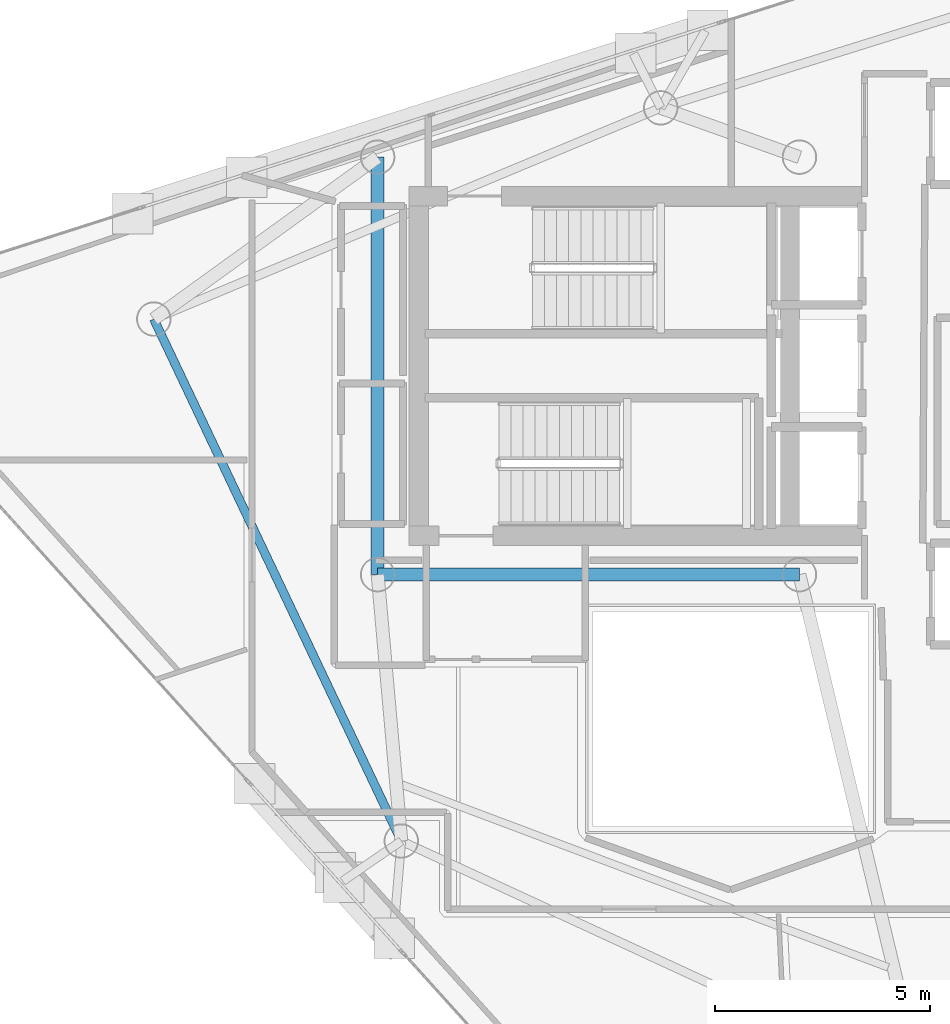
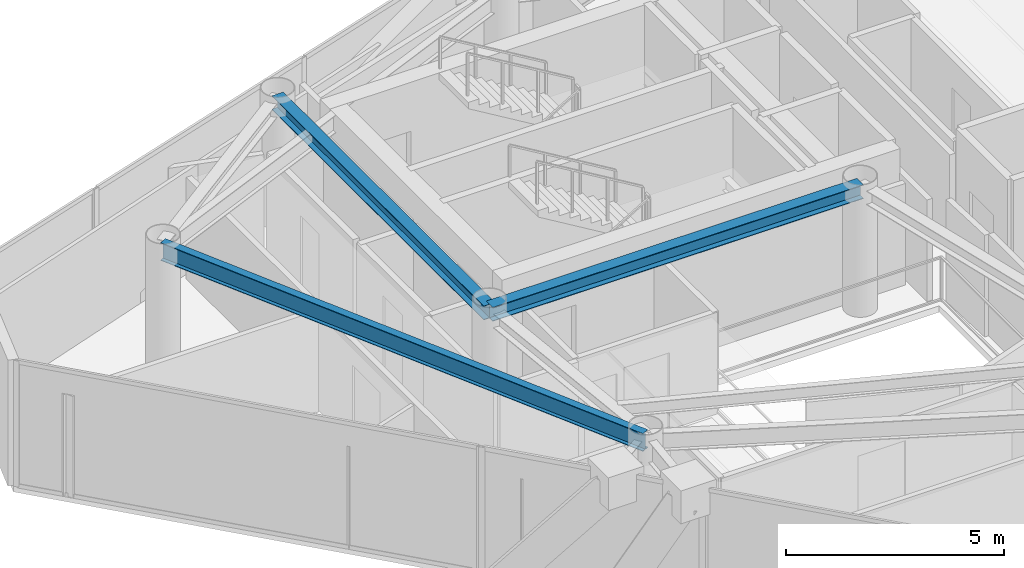
# One storey, part 7 of 19: 3 beams.
"""IFC4 building model written with IfcOpenShell, lengths in metres."""

from ifc_helpers import new_model, si_unit, direction, frame, origin, origin_2d, place, context, subcontext, project, spatial, i_section, extrude, material, material_profile, profile_set, type_object, element, save


model = new_model("IFC4")

# Units and contexts
model_context = context("Model", 3, precision=1e-05, world=origin(), true_north=direction((0.0, 1.0)))
body_context = subcontext(model_context, "Body", "Model", "MODEL_VIEW")
ifc_project = project(units=[si_unit("LENGTHUNIT", "METRE"), si_unit("AREAUNIT", "SQUARE_METRE"), si_unit("VOLUMEUNIT", "CUBIC_METRE"), si_unit("PLANEANGLEUNIT", "RADIAN"), si_unit("MASSUNIT", "GRAM", prefix="KILO")], contexts=[model_context])

# Site, building, storey
site_placement = place(None, origin())
site = spatial("IfcSite", under=ifc_project, at=site_placement, CompositionType="ELEMENT")
building_placement = place(site_placement, origin())
building = spatial("IfcBuilding", under=site, at=building_placement, Name="Qianvela Tower", CompositionType="ELEMENT")
storey_placement = place(building_placement, frame((0.0, 0.0, 329.60009765625)))
storey = spatial("IfcBuildingStorey", under=building, at=storey_placement, Name="L85", CompositionType="ELEMENT", Elevation=329.60009765625)

# Beams
ifc_material_1 = material(Name="Steel Q355B", Category="steel")
ifc_material_profile_1 = material_profile(ifc_material_1, i_section(OverallWidth=0.300048828125, OverallDepth=0.389892578125, WebThickness=0.010009765625, FlangeThickness=0.01611328125, at=origin_2d()), Name="HM390x300x10x16")
ifc_profile_set_1 = profile_set([ifc_material_profile_1], Name="Steel Q355B")
beam_type_1 = type_object("IfcBeamType", Name="BM-HM390-COLL", PredefinedType="BEAM", material=ifc_profile_set_1)
beam_1_placement = place(storey_placement, frame((28.60009765625, 23.85009765625, 3.322998046875), z_axis=(1.0, 0.0, 0.0), x_axis=(0.0, 1.0, 0.0)))
element("IfcBeam", 1, at=beam_1_placement, inside=storey, type_object=beam_type_1, Name="L85 Core Ring Collector Girder CC1", PredefinedType="BEAM", context=body_context, shape_type="SweptSolid", body=[
    extrude(i_section(OverallWidth=0.300048828125, OverallDepth=0.389892578125, WebThickness=0.010009765625, FlangeThickness=0.01611328125, at=origin_2d()), origin(), (0.0, 0.0, 1.0), 9.7998046875),
])
beam_2_placement = place(storey_placement, frame((28.60009765625, 33.550048828125, 3.322998046875), z_axis=(0.0, -1.0, 0.0), x_axis=(1.0, 0.0, 0.0)))
element("IfcBeam", 2, at=beam_2_placement, inside=storey, type_object=beam_type_1, Name="L85 Core Ring Collector Girder CC2", PredefinedType="BEAM", context=body_context, shape_type="SweptSolid", body=[
    extrude(i_section(OverallWidth=0.300048828125, OverallDepth=0.389892578125, WebThickness=0.010009765625, FlangeThickness=0.01611328125, at=origin_2d()), origin(), (0.0, 0.0, 1.0), 9.699951171875),
])
ifc_material_2 = material(Name="Steel Q355B", Category="steel")
ifc_material_profile_2 = material_profile(ifc_material_2, i_section(OverallWidth=0.199951171875, OverallDepth=0.5, WebThickness=0.010009765625, FlangeThickness=0.01611328125, at=origin_2d()), Name="HN500x200x10x16")
ifc_profile_set_2 = profile_set([ifc_material_profile_2], Name="Steel Q355B")
beam_type_2 = type_object("IfcBeamType", Name="BM-HN500-GIRD", PredefinedType="BEAM", material=ifc_profile_set_2)
beam_3_placement = place(storey_placement, frame((23.39990234375, 29.7890625, 3.267822265625), z_axis=(0.428430375526, -0.903574796753, 0.0), x_axis=(0.903574796753, 0.428430375526, 0.0)))
element("IfcBeam", 3, at=beam_3_placement, inside=storey, type_object=beam_type_2, Name="L85 Perimeter Ring Spandrel Girder 3", PredefinedType="BEAM", context=body_context, shape_type="SweptSolid", body=[
    extrude(i_section(OverallWidth=0.199951171875, OverallDepth=0.5, WebThickness=0.010009765625, FlangeThickness=0.01611328125, at=origin_2d()), origin(), (0.0, 0.0, 1.0), 13.421142578125),
])

save(model, "model.ifc")
